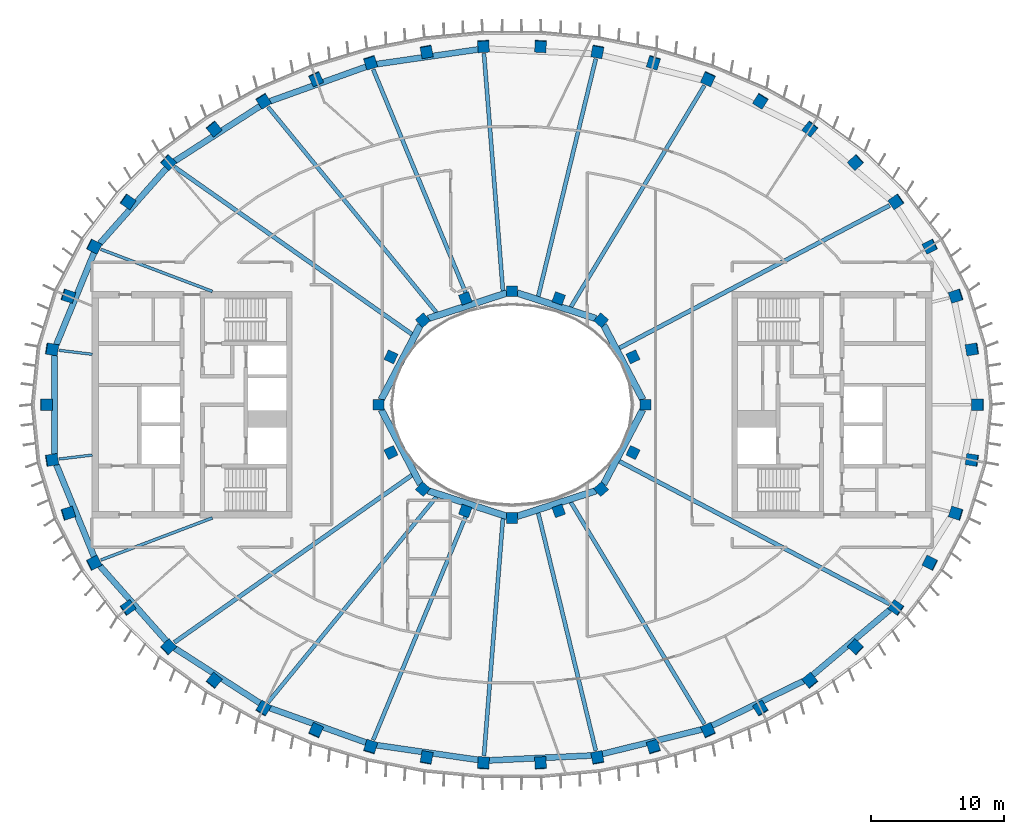
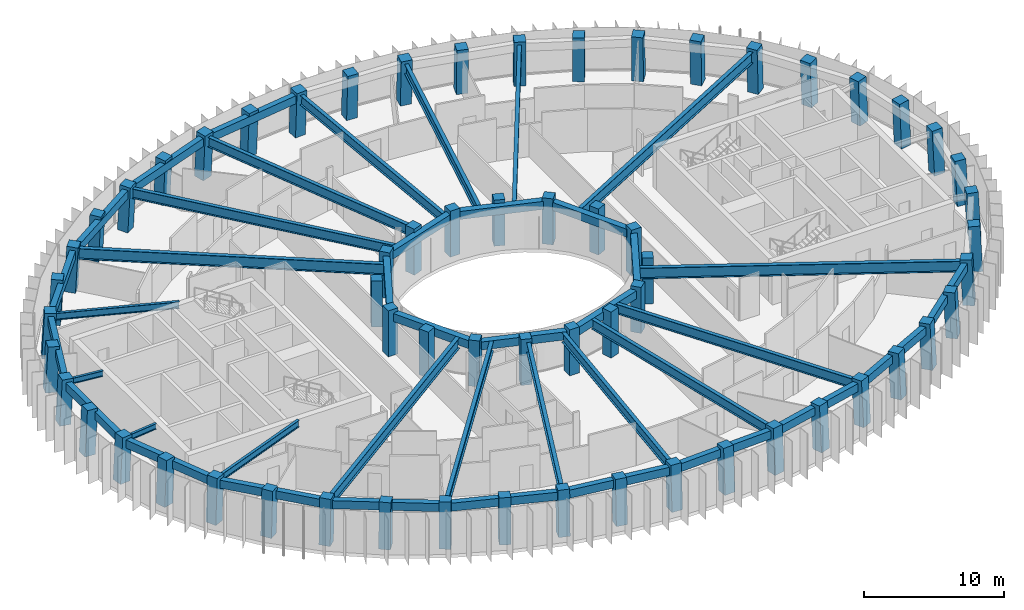
# One storey, part 1 of 13: 62 columns, 41 beams.
"""IFC4 building model written with IfcOpenShell, lengths in metres."""

from ifc_helpers import new_model, si_unit, direction, frame, origin, origin_2d, place, context, subcontext, project, spatial, rectangle, i_section, extrude, material, material_profile, profile_set, type_object, element, save


model = new_model("IFC4")

# Units and contexts
model_context = context("Model", 3, precision=1e-05, world=origin(), true_north=direction((0.0, 1.0)))
body_context = subcontext(model_context, "Body", "Model", "MODEL_VIEW")
ifc_project = project(units=[si_unit("LENGTHUNIT", "METRE"), si_unit("AREAUNIT", "SQUARE_METRE"), si_unit("VOLUMEUNIT", "CUBIC_METRE"), si_unit("PLANEANGLEUNIT", "RADIAN"), si_unit("MASSUNIT", "GRAM", prefix="KILO")], contexts=[model_context])

# Site, building, storey
site_placement = place(None, origin())
site = spatial("IfcSite", under=ifc_project, at=site_placement, CompositionType="ELEMENT")
building_placement = place(site_placement, origin())
building = spatial("IfcBuilding", under=site, at=building_placement, Name="Noorbagh Ring Tower", CompositionType="ELEMENT")
storey_placement = place(building_placement, frame((0.0, 0.0, 327.0)))
storey = spatial("IfcBuildingStorey", under=building, at=storey_placement, Name="L71", CompositionType="ELEMENT", Elevation=327.0)

# Columns
ifc_material_1 = material(Name="Concrete C50/60", Category="concrete")
ifc_material_profile_1 = material_profile(ifc_material_1, rectangle(XDim=0.85009765625, YDim=0.85009765625, at=origin_2d()), Name="RC850x850")
ifc_profile_set_1 = profile_set([ifc_material_profile_1], Name="Concrete C50/60")
column_type_1 = type_object("IfcColumnType", Name="STR-COL-RC850x850-C50-60", PredefinedType="COLUMN", material=ifc_profile_set_1)
for number, where, z_axis, x_axis, name in (
    (1, (34.944091796875, 0.0, 0.010986328125), (-0.050029578925, 0.0, 0.998747736534), (0.0, -1.0, 0.0), "L71/col/R1-01"),
    (2, (34.526123046875, 4.150634765625, 0.010986328125), (-0.049414945894, -0.007867056063, 0.998747351712), (0.157223956062, -0.987562974012, 0.0), "L71/col/R1-02"),
    (3, (33.3046875, 8.149169921875, 0.010986328125), (-0.047632491693, -0.015426781181, 0.998745793562), (0.30811442069, -0.951349306912, 0.0), "L71/col/R1-03"),
    (4, (31.364501953125, 11.870849609375, 0.010986328125), (-0.044743846792, -0.022433384724, 0.998746580181), (0.448195672452, -0.893935478206, 0.0), "L71/col/R1-04"),
    (5, (28.818359375, 15.230224609375, 0.010986328125), (-0.041056153851, -0.028640969603, 0.998746257611), (0.572143185554, -0.820153750966, 0.0), "L71/col/R1-05"),
    (6, (25.7822265625, 18.179931640625, 0.010986328125), (-0.036631026009, -0.034049644981, 0.998748611819), (0.68082810609, -0.732443233267, 0.0), "L71/col/R1-06"),
    (7, (22.36181640625, 20.699462890625, 0.010986328125), (-0.031775523326, -0.038659195691, 0.998747106482), (0.772532588956, -0.634975116836, 0.0), "L71/col/R1-07"),
    (8, (18.64599609375, 22.784912109375, 0.010986328125), (-0.026428412376, -0.042469844074, 0.998748142108), (0.849032107584, -0.528341253634, 0.0), "L71/col/R1-08"),
    (9, (14.709228515625, 24.4404296875, 0.010986328125), (-0.020835358989, -0.045542775843, 0.998745084285), (0.909355115521, -0.416020761352, 0.0), "L71/col/R1-09"),
    (10, (10.613037109375, 25.673095703125, 0.010986328125), (-0.014996562449, -0.047755446814, 0.998746474544), (0.954063933571, -0.299603088534, 0.0), "L71/col/R1-10"),
    (11, (6.4091796875, 26.490234375, 0.010986328125), (-0.00909627146, -0.049230496214, 0.998746021813), (0.983355194182, -0.181693593931, 0.0), "L71/col/R1-11"),
    (12, (2.14306640625, 26.8974609375, 0.010986328125), (-0.003011604157, -0.049968044478, 0.998746276474), (0.998188660563, -0.060161432186, 0.0), "L71/col/R1-12"),
    (13, (-2.14306640625, 26.8974609375, 0.010986328125), (0.003011604157, -0.049968044478, 0.998746276474), (0.998188660563, 0.060161432186, 0.0), "L71/col/R1-13"),
    (14, (-6.4091796875, 26.490234375, 0.010986328125), (0.00909627146, -0.049230496214, 0.998746021813), (0.983355194182, 0.181693593931, 0.0), "L71/col/R1-14"),
    (15, (-10.613037109375, 25.673095703125, 0.010986328125), (0.014996562449, -0.047755446814, 0.998746474544), (0.954063933571, 0.299603088534, 0.0), "L71/col/R1-15"),
    (16, (-14.709228515625, 24.4404296875, 0.010986328125), (0.020835358989, -0.045542775843, 0.998745084285), (0.909355115521, 0.416020761352, 0.0), "L71/col/R1-16"),
    (17, (-18.64599609375, 22.784912109375, 0.010986328125), (0.026428412376, -0.042469844074, 0.998748142108), (0.849032107584, 0.528341253634, 0.0), "L71/col/R1-17"),
    (18, (-22.36181640625, 20.699462890625, 0.010986328125), (0.031775523326, -0.038659195691, 0.998747106482), (0.772532588956, 0.634975116836, 0.0), "L71/col/R1-18"),
    (19, (-25.7822265625, 18.179931640625, 0.010986328125), (0.036631026009, -0.034049644981, 0.998748611819), (0.68082810609, 0.732443233267, 0.0), "L71/col/R1-19"),
    (20, (-28.818359375, 15.230224609375, 0.010986328125), (0.041056153851, -0.028640969603, 0.998746257611), (0.572143185554, 0.820153750966, 0.0), "L71/col/R1-20"),
    (21, (-31.364501953125, 11.870849609375, 0.010986328125), (0.044743846792, -0.022433384724, 0.998746580181), (0.448195672452, 0.893935478206, 0.0), "L71/col/R1-21"),
    (22, (-33.3046875, 8.149169921875, 0.010986328125), (0.047632491693, -0.015426781181, 0.998745793562), (0.30811442069, 0.951349306912, 0.0), "L71/col/R1-22"),
    (23, (-34.526123046875, 4.150634765625, 0.010986328125), (0.049414945894, -0.007867056063, 0.998747351712), (0.157223956062, 0.987562974012, 0.0), "L71/col/R1-23"),
    (24, (-34.944091796875, 0.0, 0.010986328125), (0.050029578925, 0.0, 0.998747736534), (0.0, 1.0, 0.0), "L71/col/R1-24"),
    (25, (-34.526123046875, -4.150634765625, 0.010986328125), (0.049414945894, 0.007867056063, 0.998747351712), (-0.157223956062, 0.987562974012, 0.0), "L71/col/R1-25"),
    (26, (-33.3046875, -8.149169921875, 0.010986328125), (0.047632491693, 0.015426781181, 0.998745793562), (-0.30811442069, 0.951349306912, 0.0), "L71/col/R1-26"),
    (27, (-31.364501953125, -11.870849609375, 0.010986328125), (0.044743846792, 0.022433384724, 0.998746580181), (-0.448195672452, 0.893935478206, 0.0), "L71/col/R1-27"),
    (28, (-28.818359375, -15.230224609375, 0.010986328125), (0.041056153851, 0.028640969603, 0.998746257611), (-0.572143185554, 0.820153750966, 0.0), "L71/col/R1-28"),
    (29, (-25.7822265625, -18.179931640625, 0.010986328125), (0.036631026009, 0.034049644981, 0.998748611819), (-0.68082810609, 0.732443233267, 0.0), "L71/col/R1-29"),
    (30, (-22.36181640625, -20.699462890625, 0.010986328125), (0.031775523326, 0.038659195691, 0.998747106482), (-0.772532588956, 0.634975116836, 0.0), "L71/col/R1-30"),
    (31, (-18.64599609375, -22.784912109375, 0.010986328125), (0.026428412376, 0.042469844074, 0.998748142108), (-0.849032107584, 0.528341253634, 0.0), "L71/col/R1-31"),
    (32, (-14.709228515625, -24.4404296875, 0.010986328125), (0.020835358989, 0.045542775843, 0.998745084285), (-0.909355115521, 0.416020761352, 0.0), "L71/col/R1-32"),
    (33, (-10.613037109375, -25.673095703125, 0.010986328125), (0.014996562449, 0.047755446814, 0.998746474544), (-0.954063933571, 0.299603088534, 0.0), "L71/col/R1-33"),
    (34, (-6.4091796875, -26.490234375, 0.010986328125), (0.00909627146, 0.049230496214, 0.998746021813), (-0.983355194182, 0.181693593931, 0.0), "L71/col/R1-34"),
    (35, (-2.14306640625, -26.8974609375, 0.010986328125), (0.003011604157, 0.049968044478, 0.998746276474), (-0.998188660563, 0.060161432186, 0.0), "L71/col/R1-35"),
    (36, (2.14306640625, -26.8974609375, 0.010986328125), (-0.003011604157, 0.049968044478, 0.998746276474), (-0.998188660563, -0.060161432186, 0.0), "L71/col/R1-36"),
    (37, (6.4091796875, -26.490234375, 0.010986328125), (-0.00909627146, 0.049230496214, 0.998746021813), (-0.983355194182, -0.181693593931, 0.0), "L71/col/R1-37"),
    (38, (10.613037109375, -25.673095703125, 0.010986328125), (-0.014996562449, 0.047755446814, 0.998746474544), (-0.954063933571, -0.299603088534, 0.0), "L71/col/R1-38"),
    (39, (14.709228515625, -24.4404296875, 0.010986328125), (-0.020835358989, 0.045542775843, 0.998745084285), (-0.909355115521, -0.416020761352, 0.0), "L71/col/R1-39"),
    (40, (18.64599609375, -22.784912109375, 0.010986328125), (-0.026428412376, 0.042469844074, 0.998748142108), (-0.849032107584, -0.528341253634, 0.0), "L71/col/R1-40"),
    (41, (22.36181640625, -20.699462890625, 0.010986328125), (-0.031775523326, 0.038659195691, 0.998747106482), (-0.772532588956, -0.634975116836, 0.0), "L71/col/R1-41"),
    (42, (25.7822265625, -18.179931640625, 0.010986328125), (-0.036631026009, 0.034049644981, 0.998748611819), (-0.68082810609, -0.732443233267, 0.0), "L71/col/R1-42"),
    (43, (28.818359375, -15.230224609375, 0.010986328125), (-0.041056153851, 0.028640969603, 0.998746257611), (-0.572143185554, -0.820153750966, 0.0), "L71/col/R1-43"),
    (44, (31.364501953125, -11.870849609375, 0.010986328125), (-0.044743846792, 0.022433384724, 0.998746580181), (-0.448195672452, -0.893935478206, 0.0), "L71/col/R1-44"),
    (45, (33.3046875, -8.149169921875, 0.010986328125), (-0.047632491693, 0.015426781181, 0.998745793562), (-0.30811442069, -0.951349306912, 0.0), "L71/col/R1-45"),
    (46, (34.526123046875, -4.150634765625, 0.010986328125), (-0.049414945894, 0.007867056063, 0.998747351712), (-0.157223956062, -0.987562974012, 0.0), "L71/col/R1-46"),
):
    element("IfcColumn", number, at=place(storey_placement, frame(where, z_axis=z_axis, x_axis=x_axis)), inside=storey, type_object=column_type_1, Name=name, PredefinedType="COLUMN", context=body_context, shape_type="SweptSolid", body=[
        extrude(rectangle(XDim=0.85009765625, YDim=0.85009765625, at=origin_2d()), origin(), (0.0, 0.0, 1.0), 3.97216796875),
    ])
ifc_material_2 = material(Name="Concrete C50/60", Category="concrete")
ifc_material_profile_2 = material_profile(ifc_material_2, rectangle(XDim=0.800048828125, YDim=0.800048828125, at=origin_2d()), Name="RC800x800")
ifc_profile_set_2 = profile_set([ifc_material_profile_2], Name="Concrete C50/60")
column_type_2 = type_object("IfcColumnType", Name="STR-ICOL-RC800x800-C50-60", PredefinedType="COLUMN", material=ifc_profile_set_2)
for number, where, z_axis, x_axis, name in (
    (47, (10.00830078125, 0.0, 0.0), (0.0, 0.0, 1.0), (0.0, 1.0, 0.0), "L71/col/IR2-W01"),
    (48, (9.07568359375, 3.58837890625, 0.0), (0.0, 0.0, 1.0), (-0.428666979171, 0.903462573087, 0.0), "L71/col/IR2-W03"),
    (49, (6.68212890625, 6.333740234375, 0.0), (0.0, 0.0, 1.0), (-0.75102249095, 0.660276622399, 0.0), "L71/col/IR2-W05"),
    (50, (3.5009765625, 7.967041015625, 0.0), (0.0, 0.0, 1.0), (-0.939019578916, 0.343863679984, 0.0), "L71/col/IR2-W07"),
    (51, (0.0, 8.5029296875, 0.0), (0.0, 0.0, 1.0), (-1.0, 0.0, 0.0), "L71/col/IR2-W09"),
    (52, (-3.5009765625, 7.967041015625, 0.0), (0.0, 0.0, 1.0), (-0.939019578916, -0.343863679984, 0.0), "L71/col/IR2-W11"),
    (53, (-6.68212890625, 6.333740234375, 0.0), (0.0, 0.0, 1.0), (-0.75102249095, -0.660276622399, 0.0), "L71/col/IR2-W13"),
    (54, (-9.07568359375, 3.58837890625, 0.0), (0.0, 0.0, 1.0), (-0.428666979171, -0.903462573087, 0.0), "L71/col/IR2-W15"),
    (55, (-10.00830078125, 0.0, 0.0), (0.0, 0.0, 1.0), (0.0, -1.0, 0.0), "L71/col/IR2-W17"),
    (56, (-9.07568359375, -3.58837890625, 0.0), (0.0, 0.0, 1.0), (0.428666979171, -0.903462573087, 0.0), "L71/col/IR2-W19"),
    (57, (-6.68212890625, -6.333740234375, 0.0), (0.0, 0.0, 1.0), (0.75102249095, -0.660276622399, 0.0), "L71/col/IR2-W21"),
    (58, (-3.5009765625, -7.967041015625, 0.0), (0.0, 0.0, 1.0), (0.939019578916, -0.343863679984, 0.0), "L71/col/IR2-W23"),
    (59, (0.0, -8.5029296875, 0.0), (0.0, 0.0, 1.0), (1.0, 0.0, 0.0), "L71/col/IR2-W25"),
    (60, (3.5009765625, -7.967041015625, 0.0), (0.0, 0.0, 1.0), (0.939019578916, 0.343863679984, 0.0), "L71/col/IR2-W27"),
    (61, (6.68212890625, -6.333740234375, 0.0), (0.0, 0.0, 1.0), (0.75102249095, 0.660276622399, 0.0), "L71/col/IR2-W29"),
    (62, (9.07568359375, -3.58837890625, 0.0), (0.0, 0.0, 1.0), (0.428666979171, 0.903462573087, 0.0), "L71/col/IR2-W31"),
):
    element("IfcColumn", number, at=place(storey_placement, frame(where, z_axis=z_axis, x_axis=x_axis)), inside=storey, type_object=column_type_2, Name=name, PredefinedType="COLUMN", context=body_context, shape_type="SweptSolid", body=[
        extrude(rectangle(XDim=0.800048828125, YDim=0.800048828125, at=origin_2d()), origin(), (0.0, 0.0, 1.0), 4.0),
    ])

# Beams
ifc_material_3 = material(Name="Steel S355", Category="steel")
ifc_material_profile_3 = material_profile(ifc_material_3, i_section(OverallWidth=0.199951171875, OverallDepth=0.5, WebThickness=0.01025390625, FlangeThickness=0.01611328125, FilletRadius=0.02099609375, at=origin_2d()), Name="IPE500")
ifc_profile_set_3 = profile_set([ifc_material_profile_3], Name="Steel S355")
beam_type_1 = type_object("IfcBeamType", Name="STR-RAD-IPE500", PredefinedType="BEAM", material=ifc_profile_set_3)
for number, where, z_axis, x_axis, name in (
    (63, (-33.963623046875, 4.076904296875, 3.449951171875), (0.992872681058, -0.119179860752, 0.0), (0.119179860752, 0.992872681058, 0.0), "L71/bm/RD23"),
    (64, (-33.963623046875, -4.076904296875, 3.449951171875), (0.992872681058, 0.119179860752, 0.0), (-0.119179860752, 0.992872681058, 0.0), "L71/bm/RD25"),
):
    element("IfcBeam", number, at=place(storey_placement, frame(where, z_axis=z_axis, x_axis=x_axis)), inside=storey, type_object=beam_type_1, Name=name, PredefinedType="BEAM", context=body_context, shape_type="SweptSolid", body=[
        extrude(i_section(OverallWidth=0.199951171875, OverallDepth=0.5, WebThickness=0.01025390625, FlangeThickness=0.01611328125, FilletRadius=0.02099609375, at=origin_2d()), origin(), (0.0, 0.0, 1.0), 2.501220703125),
    ])
ifc_material_4 = material(Name="Steel S355", Category="steel")
ifc_material_profile_4 = material_profile(ifc_material_4, i_section(OverallWidth=0.219970703125, OverallDepth=0.60009765625, WebThickness=0.011962890625, FlangeThickness=0.01904296875, FilletRadius=0.02392578125, at=origin_2d()), Name="IPE600")
ifc_profile_set_4 = profile_set([ifc_material_profile_4], Name="Steel S355")
beam_type_2 = type_object("IfcBeamType", Name="STR-RAD-IPE600", PredefinedType="BEAM", material=ifc_profile_set_4)
for number, where, z_axis, x_axis, name in (
    (65, (-30.833251953125, 11.65234375, 3.39990234375), (0.935429139206, -0.353514250809, 0.0), (0.353514250809, 0.935429139206, 0.0), "L71/bm/RD21"),
    (66, (-30.833251953125, -11.65234375, 3.39990234375), (0.935429139206, 0.353514250809, 0.0), (-0.353514250809, 0.935429139206, 0.0), "L71/bm/RD27"),
):
    element("IfcBeam", number, at=place(storey_placement, frame(where, z_axis=z_axis, x_axis=x_axis)), inside=storey, type_object=beam_type_2, Name=name, PredefinedType="BEAM", context=body_context, shape_type="SweptSolid", body=[
        extrude(i_section(OverallWidth=0.219970703125, OverallDepth=0.60009765625, WebThickness=0.011962890625, FlangeThickness=0.01904296875, FilletRadius=0.02392578125, at=origin_2d()), origin(), (0.0, 0.0, 1.0), 8.937255859375),
    ])
ifc_material_5 = material(Name="Steel S355", Category="steel")
ifc_material_profile_5 = material_profile(ifc_material_5, i_section(OverallWidth=0.300048828125, OverallDepth=0.85009765625, WebThickness=0.013916015625, FlangeThickness=0.028076171875, at=origin_2d()), Name="PG850x300x14x28")
ifc_profile_set_5 = profile_set([ifc_material_profile_5], Name="Steel S355")
beam_type_3 = type_object("IfcBeamType", Name="STR-RAD-PG850x300x14x28", PredefinedType="BEAM", material=ifc_profile_set_5)
beam_1_placement = place(storey_placement, frame((14.428955078125, 23.939697265625, 3.27490234375), z_axis=(-0.516207410791, -0.856463606375, 0.0), x_axis=(0.856463606375, -0.516207410791, 0.0)))
element("IfcBeam", 67, at=beam_1_placement, inside=storey, type_object=beam_type_3, Name="L71/bm/RD09", PredefinedType="BEAM", context=body_context, shape_type="SweptSolid", body=[
    extrude(i_section(OverallWidth=0.300048828125, OverallDepth=0.85009765625, WebThickness=0.013916015625, FlangeThickness=0.028076171875, at=origin_2d()), origin(), (0.0, 0.0, 1.0), 19.411865234375),
])
beam_2_placement = place(storey_placement, frame((6.2841796875, 25.9365234375, 3.27490234375), z_axis=(-0.235474329196, -0.971880568943, 0.0), x_axis=(0.971880568943, -0.235474329196, 0.0)))
element("IfcBeam", 68, at=beam_2_placement, inside=storey, type_object=beam_type_3, Name="L71/bm/RD11", PredefinedType="BEAM", context=body_context, shape_type="SweptSolid", body=[
    extrude(i_section(OverallWidth=0.300048828125, OverallDepth=0.85009765625, WebThickness=0.013916015625, FlangeThickness=0.028076171875, at=origin_2d()), origin(), (0.0, 0.0, 1.0), 18.34521484375),
])
beam_3_placement = place(storey_placement, frame((-2.10107421875, 26.332763671875, 3.27490234375), z_axis=(0.079535560785, -0.996832029266, 0.0), x_axis=(0.996832029266, 0.079535560785, 0.0)))
element("IfcBeam", 69, at=beam_3_placement, inside=storey, type_object=beam_type_3, Name="L71/bm/RD13", PredefinedType="BEAM", context=body_context, shape_type="SweptSolid", body=[
    extrude(i_section(OverallWidth=0.300048828125, OverallDepth=0.85009765625, WebThickness=0.013916015625, FlangeThickness=0.028076171875, at=origin_2d()), origin(), (0.0, 0.0, 1.0), 17.864990234375),
])
beam_4_placement = place(storey_placement, frame((-10.407958984375, 25.140625, 3.27490234375), z_axis=(0.382503800535, -0.923953917994, 0.0), x_axis=(0.923953917994, 0.382503800535, 0.0)))
element("IfcBeam", 70, at=beam_4_placement, inside=storey, type_object=beam_type_3, Name="L71/bm/RD15", PredefinedType="BEAM", context=body_context, shape_type="SweptSolid", body=[
    extrude(i_section(OverallWidth=0.300048828125, OverallDepth=0.85009765625, WebThickness=0.013916015625, FlangeThickness=0.028076171875, at=origin_2d()), origin(), (0.0, 0.0, 1.0), 18.86669921875),
])
for number, where, z_axis, x_axis, name in (
    (71, (-18.296875, 22.325927734375, 3.27490234375), (0.633867184991, -0.773441912358, 0.0), (0.773441912358, 0.633867184991, 0.0), "L71/bm/RD17"),
    (72, (-18.296875, -22.325927734375, 3.27490234375), (0.633867184991, 0.773441912358, 0.0), (-0.773441912358, 0.633867184991, 0.0), "L71/bm/RD31"),
):
    element("IfcBeam", number, at=place(storey_placement, frame(where, z_axis=z_axis, x_axis=x_axis)), inside=storey, type_object=beam_type_3, Name=name, PredefinedType="BEAM", context=body_context, shape_type="SweptSolid", body=[
        extrude(i_section(OverallWidth=0.300048828125, OverallDepth=0.85009765625, WebThickness=0.013916015625, FlangeThickness=0.028076171875, at=origin_2d()), origin(), (0.0, 0.0, 1.0), 19.93359375),
    ])
beam_5_placement = place(storey_placement, frame((-10.407958984375, -25.140625, 3.27490234375), z_axis=(0.382503800535, 0.923953917994, 0.0), x_axis=(-0.923953917994, 0.382503800535, 0.0)))
element("IfcBeam", 73, at=beam_5_placement, inside=storey, type_object=beam_type_3, Name="L71/bm/RD33", PredefinedType="BEAM", context=body_context, shape_type="SweptSolid", body=[
    extrude(i_section(OverallWidth=0.300048828125, OverallDepth=0.85009765625, WebThickness=0.013916015625, FlangeThickness=0.028076171875, at=origin_2d()), origin(), (0.0, 0.0, 1.0), 18.86669921875),
])
beam_6_placement = place(storey_placement, frame((-2.10107421875, -26.332763671875, 3.27490234375), z_axis=(0.079535560785, 0.996832029266, 0.0), x_axis=(-0.996832029266, 0.079535560785, 0.0)))
element("IfcBeam", 74, at=beam_6_placement, inside=storey, type_object=beam_type_3, Name="L71/bm/RD35", PredefinedType="BEAM", context=body_context, shape_type="SweptSolid", body=[
    extrude(i_section(OverallWidth=0.300048828125, OverallDepth=0.85009765625, WebThickness=0.013916015625, FlangeThickness=0.028076171875, at=origin_2d()), origin(), (0.0, 0.0, 1.0), 17.864990234375),
])
beam_7_placement = place(storey_placement, frame((6.2841796875, -25.9365234375, 3.27490234375), z_axis=(-0.235474329196, 0.971880568943, 0.0), x_axis=(-0.971880568943, -0.235474329196, 0.0)))
element("IfcBeam", 75, at=beam_7_placement, inside=storey, type_object=beam_type_3, Name="L71/bm/RD37", PredefinedType="BEAM", context=body_context, shape_type="SweptSolid", body=[
    extrude(i_section(OverallWidth=0.300048828125, OverallDepth=0.85009765625, WebThickness=0.013916015625, FlangeThickness=0.028076171875, at=origin_2d()), origin(), (0.0, 0.0, 1.0), 18.34521484375),
])
beam_8_placement = place(storey_placement, frame((14.428955078125, -23.939697265625, 3.27490234375), z_axis=(-0.516207410791, 0.856463606375, 0.0), x_axis=(-0.856463606375, -0.516207410791, 0.0)))
element("IfcBeam", 76, at=beam_8_placement, inside=storey, type_object=beam_type_3, Name="L71/bm/RD39", PredefinedType="BEAM", context=body_context, shape_type="SweptSolid", body=[
    extrude(i_section(OverallWidth=0.300048828125, OverallDepth=0.85009765625, WebThickness=0.013916015625, FlangeThickness=0.028076171875, at=origin_2d()), origin(), (0.0, 0.0, 1.0), 19.411865234375),
])
ifc_material_6 = material(Name="Steel S355", Category="steel")
ifc_material_profile_6 = material_profile(ifc_material_6, i_section(OverallWidth=0.320068359375, OverallDepth=0.949951171875, WebThickness=0.01611328125, FlangeThickness=0.030029296875, at=origin_2d()), Name="PG950x320x16x30")
ifc_profile_set_6 = profile_set([ifc_material_profile_6], Name="Steel S355")
beam_type_4 = type_object("IfcBeamType", Name="STR-RAD-PG950x320x16x30", PredefinedType="BEAM", material=ifc_profile_set_6)
beam_9_placement = place(storey_placement, frame((28.317138671875, 14.943115234375, 3.22509765625), z_axis=(-0.884413689187, -0.466703788691, 0.0), x_axis=(0.466703788691, -0.884413689187, 0.0)))
element("IfcBeam", 77, at=beam_9_placement, inside=storey, type_object=beam_type_4, Name="L71/bm/RD05", PredefinedType="BEAM", context=body_context, shape_type="SweptSolid", body=[
    extrude(i_section(OverallWidth=0.320068359375, OverallDepth=0.949951171875, WebThickness=0.01611328125, FlangeThickness=0.030029296875, at=origin_2d()), origin(), (0.0, 0.0, 1.0), 22.92724609375),
])
for number, where, z_axis, x_axis, name in (
    (78, (-25.321533203125, 17.828857421875, 3.22509765625), (0.81765412464, -0.575709764082, 0.0), (0.575709764082, 0.81765412464, 0.0), "L71/bm/RD19"),
    (79, (-25.321533203125, -17.828857421875, 3.22509765625), (0.81765412464, 0.575709764082, 0.0), (-0.575709764082, 0.81765412464, 0.0), "L71/bm/RD29"),
):
    element("IfcBeam", number, at=place(storey_placement, frame(where, z_axis=z_axis, x_axis=x_axis)), inside=storey, type_object=beam_type_4, Name=name, PredefinedType="BEAM", context=body_context, shape_type="SweptSolid", body=[
        extrude(i_section(OverallWidth=0.320068359375, OverallDepth=0.949951171875, WebThickness=0.01611328125, FlangeThickness=0.030029296875, at=origin_2d()), origin(), (0.0, 0.0, 1.0), 21.800048828125),
    ])
beam_10_placement = place(storey_placement, frame((28.317138671875, -14.943115234375, 3.22509765625), z_axis=(-0.884413689187, 0.466703788691, 0.0), x_axis=(-0.466703788691, -0.884413689187, 0.0)))
element("IfcBeam", 80, at=beam_10_placement, inside=storey, type_object=beam_type_4, Name="L71/bm/RD43", PredefinedType="BEAM", context=body_context, shape_type="SweptSolid", body=[
    extrude(i_section(OverallWidth=0.320068359375, OverallDepth=0.949951171875, WebThickness=0.01611328125, FlangeThickness=0.030029296875, at=origin_2d()), origin(), (0.0, 0.0, 1.0), 22.92724609375),
])
ifc_material_7 = material(Name="Concrete C40/50", Category="concrete")
ifc_material_profile_7 = material_profile(ifc_material_7, rectangle(XDim=0.5, YDim=0.699951171875, at=origin_2d()), Name="RC500x700")
ifc_profile_set_7 = profile_set([ifc_material_profile_7], Name="Concrete C40/50")
beam_type_5 = type_object("IfcBeamType", Name="STR-RB-RC500x700-C40-50", PredefinedType="BEAM", material=ifc_profile_set_7)
beam_11_placement = place(storey_placement, frame((9.8076171875, 0.38232421875, 3.35009765625), z_axis=(-0.464943021964, 0.885340604698, 0.0), x_axis=(-0.885340604698, -0.464943021964, 0.0)))
element("IfcBeam", 81, at=beam_11_placement, inside=storey, type_object=beam_type_5, Name="L71/bm/RG01", PredefinedType="BEAM", context=body_context, shape_type="SweptSolid", body=[
    extrude(rectangle(XDim=0.5, YDim=0.699951171875, at=origin_2d()), origin(), (0.0, 0.0, 1.0), 6.313720703125),
])
for number, where, z_axis, x_axis, name in (
    (82, (6.286865234375, 6.462158203125, 3.35009765625), (-0.951150444931, 0.308727762126, 0.0), (-0.308727762126, -0.951150444931, 0.0), "L71/bm/RG03"),
    (83, (-0.380859375, 8.379150390625, 3.35009765625), (-0.951150444931, -0.308727762126, 0.0), (0.308727762126, -0.951150444931, 0.0), "L71/bm/RG05"),
):
    element("IfcBeam", number, at=place(storey_placement, frame(where, z_axis=z_axis, x_axis=x_axis)), inside=storey, type_object=beam_type_5, Name=name, PredefinedType="BEAM", context=body_context, shape_type="SweptSolid", body=[
        extrude(rectangle(XDim=0.5, YDim=0.699951171875, at=origin_2d()), origin(), (0.0, 0.0, 1.0), 6.209228515625),
    ])
for number, where, z_axis, x_axis, name in (
    (84, (-6.8720703125, 5.97216796875, 3.35009765625), (-0.464943021964, -0.885340604698, 0.0), (0.885340604698, -0.464943021964, 0.0), "L71/bm/RG07"),
    (85, (-9.8076171875, -0.38232421875, 3.35009765625), (0.464943021964, -0.885340604698, 0.0), (0.885340604698, 0.464943021964, 0.0), "L71/bm/RG09"),
):
    element("IfcBeam", number, at=place(storey_placement, frame(where, z_axis=z_axis, x_axis=x_axis)), inside=storey, type_object=beam_type_5, Name=name, PredefinedType="BEAM", context=body_context, shape_type="SweptSolid", body=[
        extrude(rectangle(XDim=0.5, YDim=0.699951171875, at=origin_2d()), origin(), (0.0, 0.0, 1.0), 6.313720703125),
    ])
for number, where, z_axis, x_axis, name in (
    (86, (-6.286865234375, -6.462158203125, 3.35009765625), (0.951150444931, -0.308727762126, 0.0), (0.308727762126, 0.951150444931, 0.0), "L71/bm/RG11"),
    (87, (0.380859375, -8.379150390625, 3.35009765625), (0.951150444931, 0.308727762126, 0.0), (-0.308727762126, 0.951150444931, 0.0), "L71/bm/RG13"),
):
    element("IfcBeam", number, at=place(storey_placement, frame(where, z_axis=z_axis, x_axis=x_axis)), inside=storey, type_object=beam_type_5, Name=name, PredefinedType="BEAM", context=body_context, shape_type="SweptSolid", body=[
        extrude(rectangle(XDim=0.5, YDim=0.699951171875, at=origin_2d()), origin(), (0.0, 0.0, 1.0), 6.209228515625),
    ])
beam_12_placement = place(storey_placement, frame((6.8720703125, -5.97216796875, 3.35009765625), z_axis=(0.464943021964, 0.885340604698, 0.0), x_axis=(-0.885340604698, 0.464943021964, 0.0)))
element("IfcBeam", 88, at=beam_12_placement, inside=storey, type_object=beam_type_5, Name="L71/bm/RG15", PredefinedType="BEAM", context=body_context, shape_type="SweptSolid", body=[
    extrude(rectangle(XDim=0.5, YDim=0.699951171875, at=origin_2d()), origin(), (0.0, 0.0, 1.0), 6.313720703125),
])
ifc_material_8 = material(Name="Concrete C40/50", Category="concrete")
ifc_material_profile_8 = material_profile(ifc_material_8, rectangle(XDim=0.449951171875, YDim=0.699951171875, at=origin_2d()), Name="RC450x700")
ifc_profile_set_8 = profile_set([ifc_material_profile_8], Name="Concrete C40/50")
beam_type_6 = type_object("IfcBeamType", Name="STR-SB-RC450x700-C40-50", PredefinedType="BEAM", material=ifc_profile_set_8)
beam_13_placement = place(storey_placement, frame((-2.533935546875, 26.6396484375, 3.35009765625), z_axis=(-0.989746704064, -0.142833685783, 0.0), x_axis=(0.142833685783, -0.989746704064, 0.0)))
element("IfcBeam", 89, at=beam_13_placement, inside=storey, type_object=beam_type_6, Name="L71/bm/SP13", PredefinedType="BEAM", context=body_context, shape_type="SweptSolid", body=[
    extrude(rectangle(XDim=0.449951171875, YDim=0.699951171875, at=origin_2d()), origin(), (0.0, 0.0, 1.0), 7.695068359375),
])
beam_14_placement = place(storey_placement, frame((-10.936279296875, 25.3447265625, 3.35009765625), z_axis=(-0.941201417235, -0.337845959269, 0.0), x_axis=(0.337845959269, -0.941201417235, 0.0)))
element("IfcBeam", 90, at=beam_14_placement, inside=storey, type_object=beam_type_6, Name="L71/bm/SP15", PredefinedType="BEAM", context=body_context, shape_type="SweptSolid", body=[
    extrude(rectangle(XDim=0.449951171875, YDim=0.699951171875, at=origin_2d()), origin(), (0.0, 0.0, 1.0), 7.671630859375),
])
beam_15_placement = place(storey_placement, frame((-18.88330078125, 22.394287109375, 3.35009765625), z_axis=(-0.840643283967, -0.541589206984, 0.0), x_axis=(0.541589206984, -0.840643283967, 0.0)))
element("IfcBeam", 91, at=beam_15_placement, inside=storey, type_object=beam_type_6, Name="L71/bm/SP17", PredefinedType="BEAM", context=body_context, shape_type="SweptSolid", body=[
    extrude(rectangle(XDim=0.449951171875, YDim=0.699951171875, at=origin_2d()), origin(), (0.0, 0.0, 1.0), 7.6240234375),
])
beam_16_placement = place(storey_placement, frame((-25.907470703125, 17.737548828125, 3.35009765625), z_axis=(-0.663240818754, -0.748406050442, 0.0), x_axis=(0.748406050442, -0.663240818754, 0.0)))
element("IfcBeam", 92, at=beam_16_placement, inside=storey, type_object=beam_type_6, Name="L71/bm/SP19", PredefinedType="BEAM", context=body_context, shape_type="SweptSolid", body=[
    extrude(rectangle(XDim=0.449951171875, YDim=0.699951171875, at=origin_2d()), origin(), (0.0, 0.0, 1.0), 7.5478515625),
])
beam_17_placement = place(storey_placement, frame((-31.342041015625, 11.400390625, 3.35009765625), z_axis=(-0.379504622578, -0.925189840758, 0.0), x_axis=(0.925189840758, -0.379504622578, 0.0)))
element("IfcBeam", 93, at=beam_17_placement, inside=storey, type_object=beam_type_6, Name="L71/bm/SP21", PredefinedType="BEAM", context=body_context, shape_type="SweptSolid", body=[
    extrude(rectangle(XDim=0.449951171875, YDim=0.699951171875, at=origin_2d()), origin(), (0.0, 0.0, 1.0), 7.457275390625),
])
beam_18_placement = place(storey_placement, frame((-34.328857421875, 3.70556640625, 3.35009765625), z_axis=(0.0, -1.0, 0.0), x_axis=(1.0, 0.0, 0.0)))
element("IfcBeam", 94, at=beam_18_placement, inside=storey, type_object=beam_type_6, Name="L71/bm/SP23", PredefinedType="BEAM", context=body_context, shape_type="SweptSolid", body=[
    extrude(rectangle(XDim=0.449951171875, YDim=0.699951171875, at=origin_2d()), origin(), (0.0, 0.0, 1.0), 7.4111328125),
])
beam_19_placement = place(storey_placement, frame((-34.172119140625, -4.5009765625, 3.35009765625), z_axis=(0.379504622578, -0.925189840758, 0.0), x_axis=(0.925189840758, 0.379504622578, 0.0)))
element("IfcBeam", 95, at=beam_19_placement, inside=storey, type_object=beam_type_6, Name="L71/bm/SP25", PredefinedType="BEAM", context=body_context, shape_type="SweptSolid", body=[
    extrude(rectangle(XDim=0.449951171875, YDim=0.699951171875, at=origin_2d()), origin(), (0.0, 0.0, 1.0), 7.457275390625),
])
beam_20_placement = place(storey_placement, frame((-30.91357421875, -12.088623046875, 3.35009765625), z_axis=(0.663240818754, -0.748406050442, 0.0), x_axis=(0.748406050442, 0.663240818754, 0.0)))
element("IfcBeam", 96, at=beam_20_placement, inside=storey, type_object=beam_type_6, Name="L71/bm/SP27", PredefinedType="BEAM", context=body_context, shape_type="SweptSolid", body=[
    extrude(rectangle(XDim=0.449951171875, YDim=0.699951171875, at=origin_2d()), origin(), (0.0, 0.0, 1.0), 7.5478515625),
])
beam_21_placement = place(storey_placement, frame((-25.29248046875, -18.26513671875, 3.35009765625), z_axis=(0.840643283967, -0.541589206984, 0.0), x_axis=(0.541589206984, 0.840643283967, 0.0)))
element("IfcBeam", 97, at=beam_21_placement, inside=storey, type_object=beam_type_6, Name="L71/bm/SP29", PredefinedType="BEAM", context=body_context, shape_type="SweptSolid", body=[
    extrude(rectangle(XDim=0.449951171875, YDim=0.699951171875, at=origin_2d()), origin(), (0.0, 0.0, 1.0), 7.6240234375),
])
beam_22_placement = place(storey_placement, frame((-18.15673828125, -22.7529296875, 3.35009765625), z_axis=(0.941201417235, -0.337845959269, 0.0), x_axis=(0.337845959269, 0.941201417235, 0.0)))
element("IfcBeam", 98, at=beam_22_placement, inside=storey, type_object=beam_type_6, Name="L71/bm/SP31", PredefinedType="BEAM", context=body_context, shape_type="SweptSolid", body=[
    extrude(rectangle(XDim=0.449951171875, YDim=0.699951171875, at=origin_2d()), origin(), (0.0, 0.0, 1.0), 7.671630859375),
])
beam_23_placement = place(storey_placement, frame((-10.150146484375, -25.54052734375, 3.35009765625), z_axis=(0.989746704064, -0.142833685783, 0.0), x_axis=(0.142833685783, 0.989746704064, 0.0)))
element("IfcBeam", 99, at=beam_23_placement, inside=storey, type_object=beam_type_6, Name="L71/bm/SP33", PredefinedType="BEAM", context=body_context, shape_type="SweptSolid", body=[
    extrude(rectangle(XDim=0.449951171875, YDim=0.699951171875, at=origin_2d()), origin(), (0.0, 0.0, 1.0), 7.695068359375),
])
beam_24_placement = place(storey_placement, frame((-1.724609375, -26.678466796875, 3.35009765625), z_axis=(0.99887286734, 0.047465723341, 0.0), x_axis=(-0.047465723341, 0.99887286734, 0.0)))
element("IfcBeam", 100, at=beam_24_placement, inside=storey, type_object=beam_type_6, Name="L71/bm/SP35", PredefinedType="BEAM", context=body_context, shape_type="SweptSolid", body=[
    extrude(rectangle(XDim=0.449951171875, YDim=0.699951171875, at=origin_2d()), origin(), (0.0, 0.0, 1.0), 7.699951171875),
])
beam_25_placement = place(storey_placement, frame((6.76806640625, -26.1962890625, 3.35009765625), z_axis=(0.97092032723, 0.239402836599, 0.0), x_axis=(-0.239402836599, 0.97092032723, 0.0)))
element("IfcBeam", 101, at=beam_25_placement, inside=storey, type_object=beam_type_6, Name="L71/bm/SP37", PredefinedType="BEAM", context=body_context, shape_type="SweptSolid", body=[
    extrude(rectangle(XDim=0.449951171875, YDim=0.699951171875, at=origin_2d()), origin(), (0.0, 0.0, 1.0), 7.686279296875),
])
beam_26_placement = place(storey_placement, frame((14.992431640625, -24.079833984375, 3.35009765625), z_axis=(0.898674585171, 0.438615993743, 0.0), x_axis=(-0.438615993743, 0.898674585171, 0.0)))
element("IfcBeam", 102, at=beam_26_placement, inside=storey, type_object=beam_type_6, Name="L71/bm/SP39", PredefinedType="BEAM", context=body_context, shape_type="SweptSolid", body=[
    extrude(rectangle(XDim=0.449951171875, YDim=0.699951171875, at=origin_2d()), origin(), (0.0, 0.0, 1.0), 7.651123046875),
])
beam_27_placement = place(storey_placement, frame((22.546875, -20.28125, 3.35009765625), z_axis=(0.763533904346, 0.645767742237, 0.0), x_axis=(-0.645767742237, 0.763533904346, 0.0)))
element("IfcBeam", 103, at=beam_27_placement, inside=storey, type_object=beam_type_6, Name="L71/bm/SP41", PredefinedType="BEAM", context=body_context, shape_type="SweptSolid", body=[
    extrude(rectangle(XDim=0.449951171875, YDim=0.699951171875, at=origin_2d()), origin(), (0.0, 0.0, 1.0), 7.589599609375),
])

save(model, "model.ifc")
